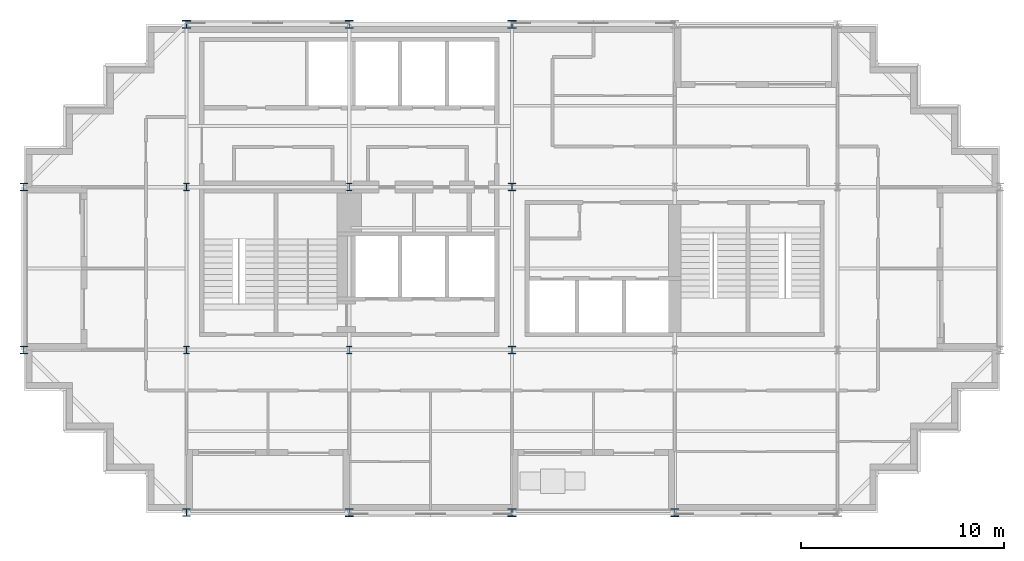
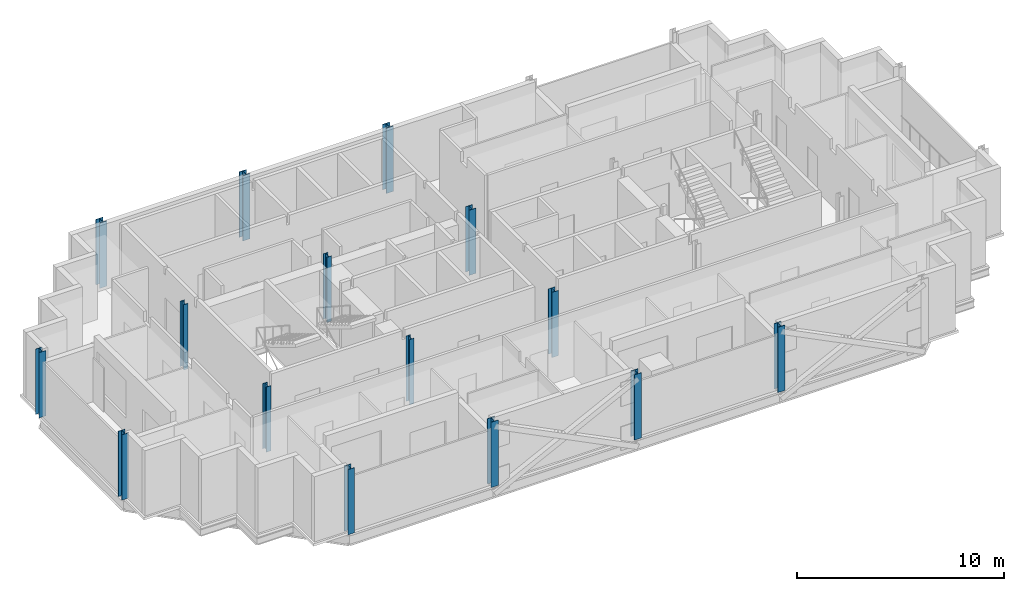
# One storey, part 1 of 10: 15 columns.
"""IFC4 building model written with IfcOpenShell, lengths in metres."""

from ifc_helpers import new_model, si_unit, direction, frame, origin, origin_2d, place, context, subcontext, project, spatial, i_section, extrude, material, material_profile, profile_set, type_object, element, save


model = new_model("IFC4")

# Units and contexts
model_context = context("Model", 3, precision=1e-05, world=origin(), true_north=direction((0.0, 1.0)))
body_context = subcontext(model_context, "Body", "Model", "MODEL_VIEW")
ifc_project = project(units=[si_unit("LENGTHUNIT", "METRE"), si_unit("AREAUNIT", "SQUARE_METRE"), si_unit("VOLUMEUNIT", "CUBIC_METRE"), si_unit("PLANEANGLEUNIT", "RADIAN"), si_unit("MASSUNIT", "GRAM", prefix="KILO")], contexts=[model_context])

# Site, building, storey
site_placement = place(None, origin())
site = spatial("IfcSite", under=ifc_project, at=site_placement, CompositionType="ELEMENT")
building_placement = place(site_placement, origin())
building = spatial("IfcBuilding", under=site, at=building_placement, Name="Immortelle Media Tower", CompositionType="ELEMENT")
storey_placement = place(building_placement, frame((0.0, 0.0, 283.0)))
storey = spatial("IfcBuildingStorey", under=building, at=storey_placement, Name="L62", CompositionType="ELEMENT", Elevation=283.0)

# Columns
ifc_material = material(Name="Steel ASTM A992 Gr 50", Category="steel")
ifc_material_profile_1 = material_profile(ifc_material, i_section(OverallWidth=0.373046875, OverallDepth=0.367919921875, WebThickness=0.014892578125, FlangeThickness=0.02392578125, at=origin_2d()), Name="W14x120")
ifc_profile_set_1 = profile_set([ifc_material_profile_1], Name="Steel ASTM A992 Gr 50")
column_type_1 = type_object("IfcColumnType", Name="W14x120 column", PredefinedType="COLUMN", material=ifc_profile_set_1)
for number, where, z_axis, x_axis, name in (
    (1, (0.0, 8.0, 0.0), (0.0, 0.0, 1.0), (1.0, 0.0, 0.0), "Column 1/B"),
    (2, (0.0, 16.0, 0.0), (0.0, 0.0, 1.0), (1.0, 0.0, 0.0), "Column 1/C"),
    (3, (8.0, 0.0, 0.0), (0.0, 0.0, 1.0), (1.0, 0.0, 0.0), "Column 2/A"),
):
    element("IfcColumn", number, at=place(storey_placement, frame(where, z_axis=z_axis, x_axis=x_axis)), inside=storey, type_object=column_type_1, Name=name, PredefinedType="COLUMN", context=body_context, shape_type="SweptSolid", body=[
        extrude(i_section(OverallWidth=0.373046875, OverallDepth=0.367919921875, WebThickness=0.014892578125, FlangeThickness=0.02392578125, at=origin_2d()), origin(), (0.0, 0.0, 1.0), 3.85009765625),
    ])
ifc_material_profile_2 = material_profile(ifc_material, i_section(OverallWidth=0.39892578125, OverallDepth=0.385986328125, WebThickness=0.02099609375, FlangeThickness=0.032958984375, at=origin_2d()), Name="W14x176")
ifc_profile_set_2 = profile_set([ifc_material_profile_2], Name="Steel ASTM A992 Gr 50")
column_type_2 = type_object("IfcColumnType", Name="W14x176 column", PredefinedType="COLUMN", material=ifc_profile_set_2)
for number, where, z_axis, x_axis, name in (
    (4, (8.0, 24.0, 0.0), (0.0, 0.0, 1.0), (1.0, 0.0, 0.0), "Column 2/D"),
    (5, (16.0, 0.0, 0.0), (0.0, 0.0, 1.0), (1.0, 0.0, 0.0), "Column 3/A"),
    (6, (16.0, 24.0, 0.0), (0.0, 0.0, 1.0), (1.0, 0.0, 0.0), "Column 3/D"),
    (7, (24.0, 0.0, 0.0), (0.0, 0.0, 1.0), (1.0, 0.0, 0.0), "Column 4/A"),
    (8, (24.0, 24.0, 0.0), (0.0, 0.0, 1.0), (1.0, 0.0, 0.0), "Column 4/D"),
    (9, (32.0, 0.0, 0.0), (0.0, 0.0, 1.0), (1.0, 0.0, 0.0), "Column 5/A"),
):
    element("IfcColumn", number, at=place(storey_placement, frame(where, z_axis=z_axis, x_axis=x_axis)), inside=storey, type_object=column_type_2, Name=name, PredefinedType="COLUMN", context=body_context, shape_type="SweptSolid", body=[
        extrude(i_section(OverallWidth=0.39892578125, OverallDepth=0.385986328125, WebThickness=0.02099609375, FlangeThickness=0.032958984375, at=origin_2d()), origin(), (0.0, 0.0, 1.0), 3.85009765625),
    ])
ifc_material_profile_3 = material_profile(ifc_material, i_section(OverallWidth=0.257080078125, OverallDepth=0.363037109375, WebThickness=0.012939453125, FlangeThickness=0.02197265625, at=origin_2d()), Name="W14x82")
ifc_profile_set_3 = profile_set([ifc_material_profile_3], Name="Steel ASTM A992 Gr 50")
column_type_3 = type_object("IfcColumnType", Name="W14x82 column", PredefinedType="COLUMN", material=ifc_profile_set_3)
for number, where, z_axis, x_axis, name in (
    (10, (8.0, 8.0, 0.0), (0.0, 0.0, 1.0), (1.0, 0.0, 0.0), "Column 2/B"),
    (11, (8.0, 16.0, 0.0), (0.0, 0.0, 1.0), (1.0, 0.0, 0.0), "Column 2/C"),
    (12, (16.0, 8.0, 0.0), (0.0, 0.0, 1.0), (1.0, 0.0, 0.0), "Column 3/B"),
    (13, (16.0, 16.0, 0.0), (0.0, 0.0, 1.0), (1.0, 0.0, 0.0), "Column 3/C"),
):
    element("IfcColumn", number, at=place(storey_placement, frame(where, z_axis=z_axis, x_axis=x_axis)), inside=storey, type_object=column_type_3, Name=name, PredefinedType="COLUMN", context=body_context, shape_type="SweptSolid", body=[
        extrude(i_section(OverallWidth=0.257080078125, OverallDepth=0.363037109375, WebThickness=0.012939453125, FlangeThickness=0.02197265625, at=origin_2d()), origin(), (0.0, 0.0, 1.0), 3.85009765625),
    ])
ifc_material_profile_4 = material_profile(ifc_material, i_section(OverallWidth=0.37109375, OverallDepth=0.361083984375, WebThickness=0.011962890625, FlangeThickness=0.02001953125, at=origin_2d()), Name="W14x99")
ifc_profile_set_4 = profile_set([ifc_material_profile_4], Name="Steel ASTM A992 Gr 50")
column_type_4 = type_object("IfcColumnType", Name="W14x99 column", PredefinedType="COLUMN", material=ifc_profile_set_4)
for number, where, z_axis, x_axis, name in (
    (14, (24.0, 8.0, 0.0), (0.0, 0.0, 1.0), (1.0, 0.0, 0.0), "Column 4/B"),
    (15, (24.0, 16.0, 0.0), (0.0, 0.0, 1.0), (1.0, 0.0, 0.0), "Column 4/C"),
):
    element("IfcColumn", number, at=place(storey_placement, frame(where, z_axis=z_axis, x_axis=x_axis)), inside=storey, type_object=column_type_4, Name=name, PredefinedType="COLUMN", context=body_context, shape_type="SweptSolid", body=[
        extrude(i_section(OverallWidth=0.37109375, OverallDepth=0.361083984375, WebThickness=0.011962890625, FlangeThickness=0.02001953125, at=origin_2d()), origin(), (0.0, 0.0, 1.0), 3.85009765625),
    ])

save(model, "model.ifc")
